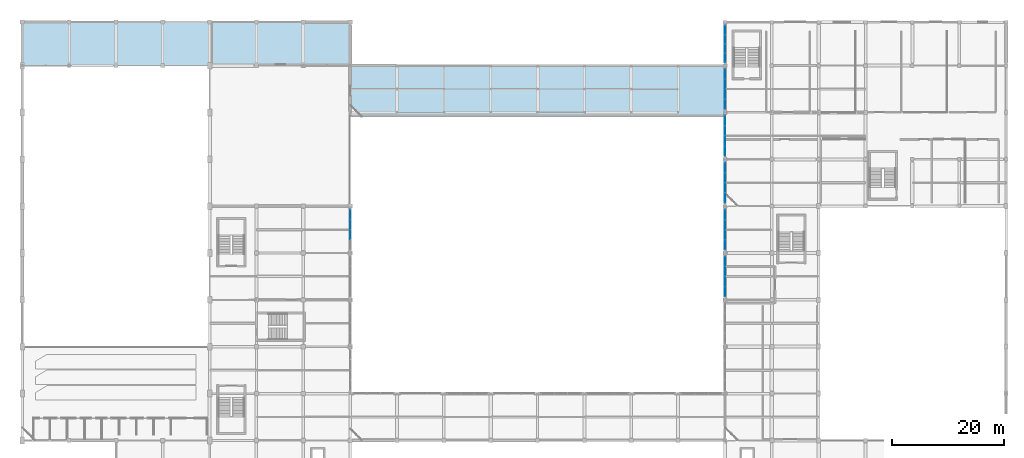
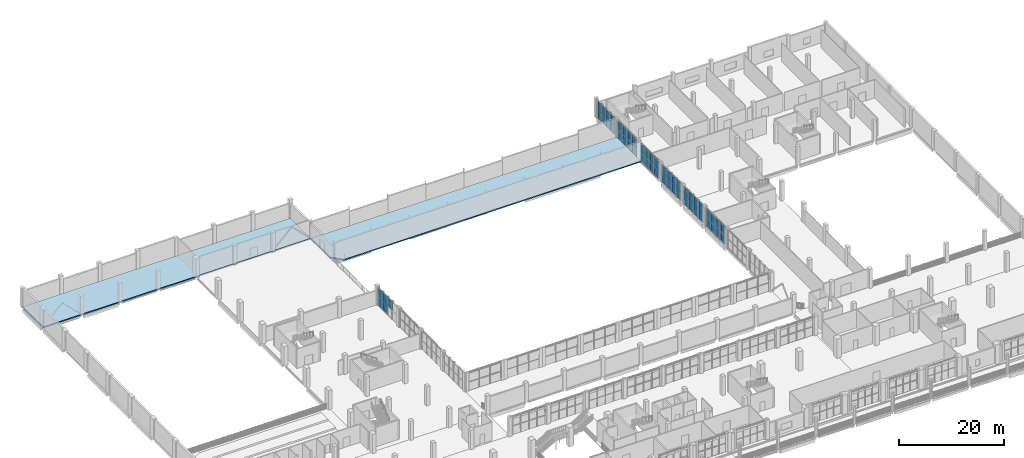
# One storey, part 50 of 75: 53 plates, 2 slabs, 7 elements without a shape of their own.
"""IFC4 building model written with IfcOpenShell, lengths in metres."""

from ifc_helpers import new_model, si_unit, derived_unit, direction, frame, origin, origin_2d, place, context, subcontext, project, spatial, polyline, rectangle, outline, extrude, material, layer, layer_set, type_object, element, aggregate, save


model = new_model("IFC4")

# Units and contexts
model_context = context("Model", 3, precision=1e-05, world=origin(), true_north=direction((0.0, 1.0)))
body_context = subcontext(model_context, "Body", "Model", "MODEL_VIEW")
ifc_project = project(units=[si_unit("LENGTHUNIT", "METRE"), si_unit("AREAUNIT", "SQUARE_METRE"), si_unit("VOLUMEUNIT", "CUBIC_METRE"), si_unit("PLANEANGLEUNIT", "RADIAN"), si_unit("MASSUNIT", "GRAM", prefix="KILO"), derived_unit("THERMALTRANSMITTANCEUNIT", [(si_unit("POWERUNIT", "WATT"), 1), (si_unit("LENGTHUNIT", "METRE"), -2), (si_unit("THERMODYNAMICTEMPERATUREUNIT", "KELVIN"), -1)])], contexts=[model_context])

# Site, building, storey
site_placement = place(None, origin())
site = spatial("IfcSite", under=ifc_project, at=site_placement, CompositionType="ELEMENT")
building_placement = place(site_placement, origin())
building = spatial("IfcBuilding", under=site, at=building_placement, Name="Barrovel Congress Hotel", CompositionType="ELEMENT")
storey_placement = place(building_placement, frame((0.0, 0.0, 5.39990234375)))
storey = spatial("IfcBuildingStorey", under=building, at=storey_placement, Name="L01", CompositionType="ELEMENT", Elevation=5.39990234375)

# Curtain wall, plates
ifc_material_1 = material(Name="Anodised Aluminium Alloy 6063-T6", Category="aluminium")
curtain_wall_type = type_object("IfcCurtainWallType", Name="CW-ST-7200x3600", PredefinedType="USERDEFINED", material=ifc_material_1)
curtain_wall_1_placement = place(storey_placement, origin())
curtain_wall_1 = element("IfcCurtainWall", 1, at=curtain_wall_1_placement, inside=storey, type_object=curtain_wall_type, Name="CW:L01:CW:71.4", ObjectType="STICK CURTAIN WALL", PredefinedType="USERDEFINED")
ifc_material_2 = material(Name="Double Low-E Insulated Glazing", Category="glass")
ifc_layer_1 = layer(ifc_material_2, 0.028076171875)
ifc_layer_set_1 = layer_set([ifc_layer_1], Name="Double Low-E Insulated Glazing")
plate_type_1 = type_object("IfcPlateType", Name="CWP-28", PredefinedType="CURTAIN_PANEL", material=ifc_layer_set_1)
plate_1_placement = place(storey_placement, frame((58.800048828125, 74.699951171875, 2.14013671875), z_axis=(0.0, 0.0, 1.0), x_axis=(0.0, 1.0, 0.0)))
plate_1 = element("IfcPlate", 2, at=plate_1_placement, type_object=plate_type_1, Name="CW:L01:CW:71.4:P1-1", PredefinedType="CURTAIN_PANEL", context=body_context, shape_type="SweptSolid", body=[
    extrude(rectangle(XDim=1.739990234375, YDim=0.028076171875, at=origin_2d()), origin(), (0.0, 0.0, 1.0), 2.050048828125),
])
plate_2_placement = place(storey_placement, frame((58.800048828125, 76.5, 0.0302734375), z_axis=(0.0, 0.0, 1.0), x_axis=(0.0, 1.0, 0.0)))
plate_2 = element("IfcPlate", 3, at=plate_2_placement, type_object=plate_type_1, Name="CW:L01:CW:71.4:P2-0", PredefinedType="CURTAIN_PANEL", context=body_context, shape_type="SweptSolid", body=[
    extrude(rectangle(XDim=1.739990234375, YDim=0.028076171875, at=origin_2d()), origin(), (0.0, 0.0, 1.0), 2.050048828125),
])
plate_3_placement = place(storey_placement, frame((58.800048828125, 76.5, 2.14013671875), z_axis=(0.0, 0.0, 1.0), x_axis=(0.0, 1.0, 0.0)))
plate_3 = element("IfcPlate", 4, at=plate_3_placement, type_object=plate_type_1, Name="CW:L01:CW:71.4:P2-1", PredefinedType="CURTAIN_PANEL", context=body_context, shape_type="SweptSolid", body=[
    extrude(rectangle(XDim=1.739990234375, YDim=0.028076171875, at=origin_2d()), origin(), (0.0, 0.0, 1.0), 2.050048828125),
])
plate_4_placement = place(storey_placement, frame((58.800048828125, 78.300048828125, 0.0302734375), z_axis=(0.0, 0.0, 1.0), x_axis=(0.0, 1.0, 0.0)))
plate_4 = element("IfcPlate", 5, at=plate_4_placement, type_object=plate_type_1, Name="CW:L01:CW:71.4:P3-0", PredefinedType="CURTAIN_PANEL", context=body_context, shape_type="SweptSolid", body=[
    extrude(rectangle(XDim=1.739990234375, YDim=0.028076171875, at=origin_2d()), origin(), (0.0, 0.0, 1.0), 2.050048828125),
])
plate_5_placement = place(storey_placement, frame((58.800048828125, 78.300048828125, 2.14013671875), z_axis=(0.0, 0.0, 1.0), x_axis=(0.0, 1.0, 0.0)))
plate_5 = element("IfcPlate", 6, at=plate_5_placement, type_object=plate_type_1, Name="CW:L01:CW:71.4:P3-1", PredefinedType="CURTAIN_PANEL", context=body_context, shape_type="SweptSolid", body=[
    extrude(rectangle(XDim=1.739990234375, YDim=0.028076171875, at=origin_2d()), origin(), (0.0, 0.0, 1.0), 2.050048828125),
])
aggregate(curtain_wall_1, [plate_1, plate_2, plate_3, plate_4, plate_5])

curtain_wall_2_placement = place(storey_placement, origin())
curtain_wall_2 = element("IfcCurtainWall", 7, at=curtain_wall_2_placement, inside=storey, type_object=curtain_wall_type, Name="CW:L01:CE:71.4", ObjectType="STICK CURTAIN WALL", PredefinedType="USERDEFINED")
plate_6_placement = place(storey_placement, frame((126.0, 78.300048828125, 0.0302734375), z_axis=(0.0, 0.0, 1.0), x_axis=(0.0, -1.0, 0.0)))
plate_6 = element("IfcPlate", 8, at=plate_6_placement, type_object=plate_type_1, Name="CW:L01:CE:71.4:P0-0", PredefinedType="CURTAIN_PANEL", context=body_context, shape_type="SweptSolid", body=[
    extrude(rectangle(XDim=1.739990234375, YDim=0.028076171875, at=origin_2d()), origin(), (0.0, 0.0, 1.0), 2.050048828125),
])
plate_7_placement = place(storey_placement, frame((126.0, 78.300048828125, 2.14013671875), z_axis=(0.0, 0.0, 1.0), x_axis=(0.0, -1.0, 0.0)))
plate_7 = element("IfcPlate", 9, at=plate_7_placement, type_object=plate_type_1, Name="CW:L01:CE:71.4:P0-1", PredefinedType="CURTAIN_PANEL", context=body_context, shape_type="SweptSolid", body=[
    extrude(rectangle(XDim=1.739990234375, YDim=0.028076171875, at=origin_2d()), origin(), (0.0, 0.0, 1.0), 2.050048828125),
])
plate_8_placement = place(storey_placement, frame((126.0, 76.5, 0.0302734375), z_axis=(0.0, 0.0, 1.0), x_axis=(0.0, -1.0, 0.0)))
plate_8 = element("IfcPlate", 10, at=plate_8_placement, type_object=plate_type_1, Name="CW:L01:CE:71.4:P1-0", PredefinedType="CURTAIN_PANEL", context=body_context, shape_type="SweptSolid", body=[
    extrude(rectangle(XDim=1.739990234375, YDim=0.028076171875, at=origin_2d()), origin(), (0.0, 0.0, 1.0), 2.050048828125),
])
plate_9_placement = place(storey_placement, frame((126.0, 76.5, 2.14013671875), z_axis=(0.0, 0.0, 1.0), x_axis=(0.0, -1.0, 0.0)))
plate_9 = element("IfcPlate", 11, at=plate_9_placement, type_object=plate_type_1, Name="CW:L01:CE:71.4:P1-1", PredefinedType="CURTAIN_PANEL", context=body_context, shape_type="SweptSolid", body=[
    extrude(rectangle(XDim=1.739990234375, YDim=0.028076171875, at=origin_2d()), origin(), (0.0, 0.0, 1.0), 2.050048828125),
])
plate_10_placement = place(storey_placement, frame((126.0, 74.699951171875, 0.0302734375), z_axis=(0.0, 0.0, 1.0), x_axis=(0.0, -1.0, 0.0)))
plate_10 = element("IfcPlate", 12, at=plate_10_placement, type_object=plate_type_1, Name="CW:L01:CE:71.4:P2-0", PredefinedType="CURTAIN_PANEL", context=body_context, shape_type="SweptSolid", body=[
    extrude(rectangle(XDim=1.739990234375, YDim=0.028076171875, at=origin_2d()), origin(), (0.0, 0.0, 1.0), 2.050048828125),
])
plate_11_placement = place(storey_placement, frame((126.0, 74.699951171875, 2.14013671875), z_axis=(0.0, 0.0, 1.0), x_axis=(0.0, -1.0, 0.0)))
plate_11 = element("IfcPlate", 13, at=plate_11_placement, type_object=plate_type_1, Name="CW:L01:CE:71.4:P2-1", PredefinedType="CURTAIN_PANEL", context=body_context, shape_type="SweptSolid", body=[
    extrude(rectangle(XDim=1.739990234375, YDim=0.028076171875, at=origin_2d()), origin(), (0.0, 0.0, 1.0), 2.050048828125),
])
plate_12_placement = place(storey_placement, frame((126.0, 72.89990234375, 0.0302734375), z_axis=(0.0, 0.0, 1.0), x_axis=(0.0, -1.0, 0.0)))
plate_12 = element("IfcPlate", 14, at=plate_12_placement, type_object=plate_type_1, Name="CW:L01:CE:71.4:P3-0", PredefinedType="CURTAIN_PANEL", context=body_context, shape_type="SweptSolid", body=[
    extrude(rectangle(XDim=1.739990234375, YDim=0.028076171875, at=origin_2d()), origin(), (0.0, 0.0, 1.0), 2.050048828125),
])
plate_13_placement = place(storey_placement, frame((126.0, 72.89990234375, 2.14013671875), z_axis=(0.0, 0.0, 1.0), x_axis=(0.0, -1.0, 0.0)))
plate_13 = element("IfcPlate", 15, at=plate_13_placement, type_object=plate_type_1, Name="CW:L01:CE:71.4:P3-1", PredefinedType="CURTAIN_PANEL", context=body_context, shape_type="SweptSolid", body=[
    extrude(rectangle(XDim=1.739990234375, YDim=0.028076171875, at=origin_2d()), origin(), (0.0, 0.0, 1.0), 2.050048828125),
])
aggregate(curtain_wall_2, [plate_6, plate_7, plate_8, plate_9, plate_10, plate_11, plate_12, plate_13])

curtain_wall_3_placement = place(storey_placement, origin())
curtain_wall_3 = element("IfcCurtainWall", 16, at=curtain_wall_3_placement, inside=storey, type_object=curtain_wall_type, Name="CW:L01:CE:88.2", ObjectType="STICK CURTAIN WALL", PredefinedType="USERDEFINED")
plate_14_placement = place(storey_placement, frame((126.0, 95.10009765625, 0.0302734375), z_axis=(0.0, 0.0, 1.0), x_axis=(0.0, -1.0, 0.0)))
plate_14 = element("IfcPlate", 17, at=plate_14_placement, type_object=plate_type_1, Name="CW:L01:CE:88.2:P0-0", PredefinedType="CURTAIN_PANEL", context=body_context, shape_type="SweptSolid", body=[
    extrude(rectangle(XDim=1.739990234375, YDim=0.028076171875, at=origin_2d()), origin(), (0.0, 0.0, 1.0), 2.050048828125),
])
plate_15_placement = place(storey_placement, frame((126.0, 95.10009765625, 2.14013671875), z_axis=(0.0, 0.0, 1.0), x_axis=(0.0, -1.0, 0.0)))
plate_15 = element("IfcPlate", 18, at=plate_15_placement, type_object=plate_type_1, Name="CW:L01:CE:88.2:P0-1", PredefinedType="CURTAIN_PANEL", context=body_context, shape_type="SweptSolid", body=[
    extrude(rectangle(XDim=1.739990234375, YDim=0.028076171875, at=origin_2d()), origin(), (0.0, 0.0, 1.0), 2.050048828125),
])
plate_16_placement = place(storey_placement, frame((126.0, 93.300048828125, 0.0302734375), z_axis=(0.0, 0.0, 1.0), x_axis=(0.0, -1.0, 0.0)))
plate_16 = element("IfcPlate", 19, at=plate_16_placement, type_object=plate_type_1, Name="CW:L01:CE:88.2:P1-0", PredefinedType="CURTAIN_PANEL", context=body_context, shape_type="SweptSolid", body=[
    extrude(rectangle(XDim=1.739990234375, YDim=0.028076171875, at=origin_2d()), origin(), (0.0, 0.0, 1.0), 2.050048828125),
])
plate_17_placement = place(storey_placement, frame((126.0, 93.300048828125, 2.14013671875), z_axis=(0.0, 0.0, 1.0), x_axis=(0.0, -1.0, 0.0)))
plate_17 = element("IfcPlate", 20, at=plate_17_placement, type_object=plate_type_1, Name="CW:L01:CE:88.2:P1-1", PredefinedType="CURTAIN_PANEL", context=body_context, shape_type="SweptSolid", body=[
    extrude(rectangle(XDim=1.739990234375, YDim=0.028076171875, at=origin_2d()), origin(), (0.0, 0.0, 1.0), 2.050048828125),
])
plate_18_placement = place(storey_placement, frame((126.0, 91.5, 0.0302734375), z_axis=(0.0, 0.0, 1.0), x_axis=(0.0, -1.0, 0.0)))
plate_18 = element("IfcPlate", 21, at=plate_18_placement, type_object=plate_type_1, Name="CW:L01:CE:88.2:P2-0", PredefinedType="CURTAIN_PANEL", context=body_context, shape_type="SweptSolid", body=[
    extrude(rectangle(XDim=1.739990234375, YDim=0.028076171875, at=origin_2d()), origin(), (0.0, 0.0, 1.0), 2.050048828125),
])
plate_19_placement = place(storey_placement, frame((126.0, 91.5, 2.14013671875), z_axis=(0.0, 0.0, 1.0), x_axis=(0.0, -1.0, 0.0)))
plate_19 = element("IfcPlate", 22, at=plate_19_placement, type_object=plate_type_1, Name="CW:L01:CE:88.2:P2-1", PredefinedType="CURTAIN_PANEL", context=body_context, shape_type="SweptSolid", body=[
    extrude(rectangle(XDim=1.739990234375, YDim=0.028076171875, at=origin_2d()), origin(), (0.0, 0.0, 1.0), 2.050048828125),
])
plate_20_placement = place(storey_placement, frame((126.0, 89.699951171875, 0.0302734375), z_axis=(0.0, 0.0, 1.0), x_axis=(0.0, -1.0, 0.0)))
plate_20 = element("IfcPlate", 23, at=plate_20_placement, type_object=plate_type_1, Name="CW:L01:CE:88.2:P3-0", PredefinedType="CURTAIN_PANEL", context=body_context, shape_type="SweptSolid", body=[
    extrude(rectangle(XDim=1.739990234375, YDim=0.028076171875, at=origin_2d()), origin(), (0.0, 0.0, 1.0), 2.050048828125),
])
plate_21_placement = place(storey_placement, frame((126.0, 89.699951171875, 2.14013671875), z_axis=(0.0, 0.0, 1.0), x_axis=(0.0, -1.0, 0.0)))
plate_21 = element("IfcPlate", 24, at=plate_21_placement, type_object=plate_type_1, Name="CW:L01:CE:88.2:P3-1", PredefinedType="CURTAIN_PANEL", context=body_context, shape_type="SweptSolid", body=[
    extrude(rectangle(XDim=1.739990234375, YDim=0.028076171875, at=origin_2d()), origin(), (0.0, 0.0, 1.0), 2.050048828125),
])
aggregate(curtain_wall_3, [plate_14, plate_15, plate_16, plate_17, plate_18, plate_19, plate_20, plate_21])

curtain_wall_4_placement = place(storey_placement, origin())
curtain_wall_4 = element("IfcCurtainWall", 25, at=curtain_wall_4_placement, inside=storey, type_object=curtain_wall_type, Name="CW:L01:CE:105.0", ObjectType="STICK CURTAIN WALL", PredefinedType="USERDEFINED")
plate_22_placement = place(storey_placement, frame((126.0, 111.375, 0.0302734375), z_axis=(0.0, 0.0, 1.0), x_axis=(0.0, -1.0, 0.0)))
plate_22 = element("IfcPlate", 26, at=plate_22_placement, type_object=plate_type_1, Name="CW:L01:CE:105.0:P0-0", PredefinedType="CURTAIN_PANEL", context=body_context, shape_type="SweptSolid", body=[
    extrude(rectangle(XDim=1.590087890625, YDim=0.028076171875, at=origin_2d()), origin(), (0.0, 0.0, 1.0), 2.050048828125),
])
plate_23_placement = place(storey_placement, frame((126.0, 111.375, 2.14013671875), z_axis=(0.0, 0.0, 1.0), x_axis=(0.0, -1.0, 0.0)))
plate_23 = element("IfcPlate", 27, at=plate_23_placement, type_object=plate_type_1, Name="CW:L01:CE:105.0:P0-1", PredefinedType="CURTAIN_PANEL", context=body_context, shape_type="SweptSolid", body=[
    extrude(rectangle(XDim=1.590087890625, YDim=0.028076171875, at=origin_2d()), origin(), (0.0, 0.0, 1.0), 2.050048828125),
])
plate_24_placement = place(storey_placement, frame((126.0, 109.72509765625, 0.0302734375), z_axis=(0.0, 0.0, 1.0), x_axis=(0.0, -1.0, 0.0)))
plate_24 = element("IfcPlate", 28, at=plate_24_placement, type_object=plate_type_1, Name="CW:L01:CE:105.0:P1-0", PredefinedType="CURTAIN_PANEL", context=body_context, shape_type="SweptSolid", body=[
    extrude(rectangle(XDim=1.590087890625, YDim=0.028076171875, at=origin_2d()), origin(), (0.0, 0.0, 1.0), 2.050048828125),
])
plate_25_placement = place(storey_placement, frame((126.0, 109.72509765625, 2.14013671875), z_axis=(0.0, 0.0, 1.0), x_axis=(0.0, -1.0, 0.0)))
plate_25 = element("IfcPlate", 29, at=plate_25_placement, type_object=plate_type_1, Name="CW:L01:CE:105.0:P1-1", PredefinedType="CURTAIN_PANEL", context=body_context, shape_type="SweptSolid", body=[
    extrude(rectangle(XDim=1.590087890625, YDim=0.028076171875, at=origin_2d()), origin(), (0.0, 0.0, 1.0), 2.050048828125),
])
plate_26_placement = place(storey_placement, frame((126.0, 108.074951171875, 0.0302734375), z_axis=(0.0, 0.0, 1.0), x_axis=(0.0, -1.0, 0.0)))
plate_26 = element("IfcPlate", 30, at=plate_26_placement, type_object=plate_type_1, Name="CW:L01:CE:105.0:P2-0", PredefinedType="CURTAIN_PANEL", context=body_context, shape_type="SweptSolid", body=[
    extrude(rectangle(XDim=1.590087890625, YDim=0.028076171875, at=origin_2d()), origin(), (0.0, 0.0, 1.0), 2.050048828125),
])
plate_27_placement = place(storey_placement, frame((126.0, 108.074951171875, 2.14013671875), z_axis=(0.0, 0.0, 1.0), x_axis=(0.0, -1.0, 0.0)))
plate_27 = element("IfcPlate", 31, at=plate_27_placement, type_object=plate_type_1, Name="CW:L01:CE:105.0:P2-1", PredefinedType="CURTAIN_PANEL", context=body_context, shape_type="SweptSolid", body=[
    extrude(rectangle(XDim=1.590087890625, YDim=0.028076171875, at=origin_2d()), origin(), (0.0, 0.0, 1.0), 2.050048828125),
])
plate_28_placement = place(storey_placement, frame((126.0, 106.425048828125, 0.0302734375), z_axis=(0.0, 0.0, 1.0), x_axis=(0.0, -1.0, 0.0)))
plate_28 = element("IfcPlate", 32, at=plate_28_placement, type_object=plate_type_1, Name="CW:L01:CE:105.0:P3-0", PredefinedType="CURTAIN_PANEL", context=body_context, shape_type="SweptSolid", body=[
    extrude(rectangle(XDim=1.590087890625, YDim=0.028076171875, at=origin_2d()), origin(), (0.0, 0.0, 1.0), 2.050048828125),
])
plate_29_placement = place(storey_placement, frame((126.0, 106.425048828125, 2.14013671875), z_axis=(0.0, 0.0, 1.0), x_axis=(0.0, -1.0, 0.0)))
plate_29 = element("IfcPlate", 33, at=plate_29_placement, type_object=plate_type_1, Name="CW:L01:CE:105.0:P3-1", PredefinedType="CURTAIN_PANEL", context=body_context, shape_type="SweptSolid", body=[
    extrude(rectangle(XDim=1.590087890625, YDim=0.028076171875, at=origin_2d()), origin(), (0.0, 0.0, 1.0), 2.050048828125),
])
aggregate(curtain_wall_4, [plate_22, plate_23, plate_24, plate_25, plate_26, plate_27, plate_28, plate_29])

curtain_wall_5_placement = place(storey_placement, origin())
curtain_wall_5 = element("IfcCurtainWall", 34, at=curtain_wall_5_placement, inside=storey, type_object=curtain_wall_type, Name="CW:L01:CE:63.0", ObjectType="STICK CURTAIN WALL", PredefinedType="USERDEFINED")
ifc_layer_2 = layer(ifc_material_2, 0.031982421875)
ifc_layer_set_2 = layer_set([ifc_layer_2], Name="Double Low-E Insulated Glazing")
plate_type_2 = type_object("IfcPlateType", Name="CWP-32", PredefinedType="CURTAIN_PANEL", material=ifc_layer_set_2)
plate_30_placement = place(storey_placement, frame((126.0, 69.89990234375, 0.0302734375), z_axis=(0.0, 0.0, 1.0), x_axis=(0.0, -1.0, 0.0)))
plate_30 = element("IfcPlate", 35, at=plate_30_placement, type_object=plate_type_2, Name="CW:L01:CE:63.0:P0-0", PredefinedType="CURTAIN_PANEL", context=body_context, shape_type="SweptSolid", body=[
    extrude(rectangle(XDim=1.739990234375, YDim=0.031982421875, at=origin_2d()), origin(), (0.0, 0.0, 1.0), 2.050048828125),
])
plate_31_placement = place(storey_placement, frame((126.0, 69.89990234375, 2.14013671875), z_axis=(0.0, 0.0, 1.0), x_axis=(0.0, -1.0, 0.0)))
plate_31 = element("IfcPlate", 36, at=plate_31_placement, type_object=plate_type_2, Name="CW:L01:CE:63.0:P0-1", PredefinedType="CURTAIN_PANEL", context=body_context, shape_type="SweptSolid", body=[
    extrude(rectangle(XDim=1.739990234375, YDim=0.031982421875, at=origin_2d()), origin(), (0.0, 0.0, 1.0), 2.050048828125),
])
plate_32_placement = place(storey_placement, frame((126.0, 68.10009765625, 0.0302734375), z_axis=(0.0, 0.0, 1.0), x_axis=(0.0, -1.0, 0.0)))
plate_32 = element("IfcPlate", 37, at=plate_32_placement, type_object=plate_type_2, Name="CW:L01:CE:63.0:P1-0", PredefinedType="CURTAIN_PANEL", context=body_context, shape_type="SweptSolid", body=[
    extrude(rectangle(XDim=1.739990234375, YDim=0.031982421875, at=origin_2d()), origin(), (0.0, 0.0, 1.0), 2.050048828125),
])
plate_33_placement = place(storey_placement, frame((126.0, 68.10009765625, 2.14013671875), z_axis=(0.0, 0.0, 1.0), x_axis=(0.0, -1.0, 0.0)))
plate_33 = element("IfcPlate", 38, at=plate_33_placement, type_object=plate_type_2, Name="CW:L01:CE:63.0:P1-1", PredefinedType="CURTAIN_PANEL", context=body_context, shape_type="SweptSolid", body=[
    extrude(rectangle(XDim=1.739990234375, YDim=0.031982421875, at=origin_2d()), origin(), (0.0, 0.0, 1.0), 2.050048828125),
])
plate_34_placement = place(storey_placement, frame((126.0, 66.300048828125, 0.0302734375), z_axis=(0.0, 0.0, 1.0), x_axis=(0.0, -1.0, 0.0)))
plate_34 = element("IfcPlate", 39, at=plate_34_placement, type_object=plate_type_2, Name="CW:L01:CE:63.0:P2-0", PredefinedType="CURTAIN_PANEL", context=body_context, shape_type="SweptSolid", body=[
    extrude(rectangle(XDim=1.739990234375, YDim=0.031982421875, at=origin_2d()), origin(), (0.0, 0.0, 1.0), 2.050048828125),
])
plate_35_placement = place(storey_placement, frame((126.0, 66.300048828125, 2.14013671875), z_axis=(0.0, 0.0, 1.0), x_axis=(0.0, -1.0, 0.0)))
plate_35 = element("IfcPlate", 40, at=plate_35_placement, type_object=plate_type_2, Name="CW:L01:CE:63.0:P2-1", PredefinedType="CURTAIN_PANEL", context=body_context, shape_type="SweptSolid", body=[
    extrude(rectangle(XDim=1.739990234375, YDim=0.031982421875, at=origin_2d()), origin(), (0.0, 0.0, 1.0), 2.050048828125),
])
plate_36_placement = place(storey_placement, frame((126.0, 64.5, 0.0302734375), z_axis=(0.0, 0.0, 1.0), x_axis=(0.0, -1.0, 0.0)))
plate_36 = element("IfcPlate", 41, at=plate_36_placement, type_object=plate_type_2, Name="CW:L01:CE:63.0:P3-0", PredefinedType="CURTAIN_PANEL", context=body_context, shape_type="SweptSolid", body=[
    extrude(rectangle(XDim=1.739990234375, YDim=0.031982421875, at=origin_2d()), origin(), (0.0, 0.0, 1.0), 2.050048828125),
])
plate_37_placement = place(storey_placement, frame((126.0, 64.5, 2.14013671875), z_axis=(0.0, 0.0, 1.0), x_axis=(0.0, -1.0, 0.0)))
plate_37 = element("IfcPlate", 42, at=plate_37_placement, type_object=plate_type_2, Name="CW:L01:CE:63.0:P3-1", PredefinedType="CURTAIN_PANEL", context=body_context, shape_type="SweptSolid", body=[
    extrude(rectangle(XDim=1.739990234375, YDim=0.031982421875, at=origin_2d()), origin(), (0.0, 0.0, 1.0), 2.050048828125),
])
aggregate(curtain_wall_5, [plate_30, plate_31, plate_32, plate_33, plate_34, plate_35, plate_36, plate_37])

curtain_wall_6_placement = place(storey_placement, origin())
curtain_wall_6 = element("IfcCurtainWall", 43, at=curtain_wall_6_placement, inside=storey, type_object=curtain_wall_type, Name="CW:L01:CE:79.8", ObjectType="STICK CURTAIN WALL", PredefinedType="USERDEFINED")
plate_38_placement = place(storey_placement, frame((126.0, 86.699951171875, 0.0302734375), z_axis=(0.0, 0.0, 1.0), x_axis=(0.0, -1.0, 0.0)))
plate_38 = element("IfcPlate", 44, at=plate_38_placement, type_object=plate_type_2, Name="CW:L01:CE:79.8:P0-0", PredefinedType="CURTAIN_PANEL", context=body_context, shape_type="SweptSolid", body=[
    extrude(rectangle(XDim=1.739990234375, YDim=0.031982421875, at=origin_2d()), origin(), (0.0, 0.0, 1.0), 2.050048828125),
])
plate_39_placement = place(storey_placement, frame((126.0, 86.699951171875, 2.14013671875), z_axis=(0.0, 0.0, 1.0), x_axis=(0.0, -1.0, 0.0)))
plate_39 = element("IfcPlate", 45, at=plate_39_placement, type_object=plate_type_2, Name="CW:L01:CE:79.8:P0-1", PredefinedType="CURTAIN_PANEL", context=body_context, shape_type="SweptSolid", body=[
    extrude(rectangle(XDim=1.739990234375, YDim=0.031982421875, at=origin_2d()), origin(), (0.0, 0.0, 1.0), 2.050048828125),
])
plate_40_placement = place(storey_placement, frame((126.0, 84.89990234375, 0.0302734375), z_axis=(0.0, 0.0, 1.0), x_axis=(0.0, -1.0, 0.0)))
plate_40 = element("IfcPlate", 46, at=plate_40_placement, type_object=plate_type_2, Name="CW:L01:CE:79.8:P1-0", PredefinedType="CURTAIN_PANEL", context=body_context, shape_type="SweptSolid", body=[
    extrude(rectangle(XDim=1.739990234375, YDim=0.031982421875, at=origin_2d()), origin(), (0.0, 0.0, 1.0), 2.050048828125),
])
plate_41_placement = place(storey_placement, frame((126.0, 84.89990234375, 2.14013671875), z_axis=(0.0, 0.0, 1.0), x_axis=(0.0, -1.0, 0.0)))
plate_41 = element("IfcPlate", 47, at=plate_41_placement, type_object=plate_type_2, Name="CW:L01:CE:79.8:P1-1", PredefinedType="CURTAIN_PANEL", context=body_context, shape_type="SweptSolid", body=[
    extrude(rectangle(XDim=1.739990234375, YDim=0.031982421875, at=origin_2d()), origin(), (0.0, 0.0, 1.0), 2.050048828125),
])
plate_42_placement = place(storey_placement, frame((126.0, 83.10009765625, 0.0302734375), z_axis=(0.0, 0.0, 1.0), x_axis=(0.0, -1.0, 0.0)))
plate_42 = element("IfcPlate", 48, at=plate_42_placement, type_object=plate_type_2, Name="CW:L01:CE:79.8:P2-0", PredefinedType="CURTAIN_PANEL", context=body_context, shape_type="SweptSolid", body=[
    extrude(rectangle(XDim=1.739990234375, YDim=0.031982421875, at=origin_2d()), origin(), (0.0, 0.0, 1.0), 2.050048828125),
])
plate_43_placement = place(storey_placement, frame((126.0, 83.10009765625, 2.14013671875), z_axis=(0.0, 0.0, 1.0), x_axis=(0.0, -1.0, 0.0)))
plate_43 = element("IfcPlate", 49, at=plate_43_placement, type_object=plate_type_2, Name="CW:L01:CE:79.8:P2-1", PredefinedType="CURTAIN_PANEL", context=body_context, shape_type="SweptSolid", body=[
    extrude(rectangle(XDim=1.739990234375, YDim=0.031982421875, at=origin_2d()), origin(), (0.0, 0.0, 1.0), 2.050048828125),
])
plate_44_placement = place(storey_placement, frame((126.0, 81.300048828125, 0.0302734375), z_axis=(0.0, 0.0, 1.0), x_axis=(0.0, -1.0, 0.0)))
plate_44 = element("IfcPlate", 50, at=plate_44_placement, type_object=plate_type_2, Name="CW:L01:CE:79.8:P3-0", PredefinedType="CURTAIN_PANEL", context=body_context, shape_type="SweptSolid", body=[
    extrude(rectangle(XDim=1.739990234375, YDim=0.031982421875, at=origin_2d()), origin(), (0.0, 0.0, 1.0), 2.050048828125),
])
plate_45_placement = place(storey_placement, frame((126.0, 81.300048828125, 2.14013671875), z_axis=(0.0, 0.0, 1.0), x_axis=(0.0, -1.0, 0.0)))
plate_45 = element("IfcPlate", 51, at=plate_45_placement, type_object=plate_type_2, Name="CW:L01:CE:79.8:P3-1", PredefinedType="CURTAIN_PANEL", context=body_context, shape_type="SweptSolid", body=[
    extrude(rectangle(XDim=1.739990234375, YDim=0.031982421875, at=origin_2d()), origin(), (0.0, 0.0, 1.0), 2.050048828125),
])
aggregate(curtain_wall_6, [plate_38, plate_39, plate_40, plate_41, plate_42, plate_43, plate_44, plate_45])

curtain_wall_7_placement = place(storey_placement, origin())
curtain_wall_7 = element("IfcCurtainWall", 52, at=curtain_wall_7_placement, inside=storey, type_object=curtain_wall_type, Name="CW:L01:CE:96.6", ObjectType="STICK CURTAIN WALL", PredefinedType="USERDEFINED")
plate_46_placement = place(storey_placement, frame((126.0, 103.5, 0.0302734375), z_axis=(0.0, 0.0, 1.0), x_axis=(0.0, -1.0, 0.0)))
plate_46 = element("IfcPlate", 53, at=plate_46_placement, type_object=plate_type_2, Name="CW:L01:CE:96.6:P0-0", PredefinedType="CURTAIN_PANEL", context=body_context, shape_type="SweptSolid", body=[
    extrude(rectangle(XDim=1.739990234375, YDim=0.031982421875, at=origin_2d()), origin(), (0.0, 0.0, 1.0), 2.050048828125),
])
plate_47_placement = place(storey_placement, frame((126.0, 103.5, 2.14013671875), z_axis=(0.0, 0.0, 1.0), x_axis=(0.0, -1.0, 0.0)))
plate_47 = element("IfcPlate", 54, at=plate_47_placement, type_object=plate_type_2, Name="CW:L01:CE:96.6:P0-1", PredefinedType="CURTAIN_PANEL", context=body_context, shape_type="SweptSolid", body=[
    extrude(rectangle(XDim=1.739990234375, YDim=0.031982421875, at=origin_2d()), origin(), (0.0, 0.0, 1.0), 2.050048828125),
])
plate_48_placement = place(storey_placement, frame((126.0, 101.699951171875, 0.0302734375), z_axis=(0.0, 0.0, 1.0), x_axis=(0.0, -1.0, 0.0)))
plate_48 = element("IfcPlate", 55, at=plate_48_placement, type_object=plate_type_2, Name="CW:L01:CE:96.6:P1-0", PredefinedType="CURTAIN_PANEL", context=body_context, shape_type="SweptSolid", body=[
    extrude(rectangle(XDim=1.739990234375, YDim=0.031982421875, at=origin_2d()), origin(), (0.0, 0.0, 1.0), 2.050048828125),
])
plate_49_placement = place(storey_placement, frame((126.0, 101.699951171875, 2.14013671875), z_axis=(0.0, 0.0, 1.0), x_axis=(0.0, -1.0, 0.0)))
plate_49 = element("IfcPlate", 56, at=plate_49_placement, type_object=plate_type_2, Name="CW:L01:CE:96.6:P1-1", PredefinedType="CURTAIN_PANEL", context=body_context, shape_type="SweptSolid", body=[
    extrude(rectangle(XDim=1.739990234375, YDim=0.031982421875, at=origin_2d()), origin(), (0.0, 0.0, 1.0), 2.050048828125),
])
plate_50_placement = place(storey_placement, frame((126.0, 99.89990234375, 0.0302734375), z_axis=(0.0, 0.0, 1.0), x_axis=(0.0, -1.0, 0.0)))
plate_50 = element("IfcPlate", 57, at=plate_50_placement, type_object=plate_type_2, Name="CW:L01:CE:96.6:P2-0", PredefinedType="CURTAIN_PANEL", context=body_context, shape_type="SweptSolid", body=[
    extrude(rectangle(XDim=1.739990234375, YDim=0.031982421875, at=origin_2d()), origin(), (0.0, 0.0, 1.0), 2.050048828125),
])
plate_51_placement = place(storey_placement, frame((126.0, 99.89990234375, 2.14013671875), z_axis=(0.0, 0.0, 1.0), x_axis=(0.0, -1.0, 0.0)))
plate_51 = element("IfcPlate", 58, at=plate_51_placement, type_object=plate_type_2, Name="CW:L01:CE:96.6:P2-1", PredefinedType="CURTAIN_PANEL", context=body_context, shape_type="SweptSolid", body=[
    extrude(rectangle(XDim=1.739990234375, YDim=0.031982421875, at=origin_2d()), origin(), (0.0, 0.0, 1.0), 2.050048828125),
])
plate_52_placement = place(storey_placement, frame((126.0, 98.10009765625, 0.0302734375), z_axis=(0.0, 0.0, 1.0), x_axis=(0.0, -1.0, 0.0)))
plate_52 = element("IfcPlate", 59, at=plate_52_placement, type_object=plate_type_2, Name="CW:L01:CE:96.6:P3-0", PredefinedType="CURTAIN_PANEL", context=body_context, shape_type="SweptSolid", body=[
    extrude(rectangle(XDim=1.739990234375, YDim=0.031982421875, at=origin_2d()), origin(), (0.0, 0.0, 1.0), 2.050048828125),
])
plate_53_placement = place(storey_placement, frame((126.0, 98.10009765625, 2.14013671875), z_axis=(0.0, 0.0, 1.0), x_axis=(0.0, -1.0, 0.0)))
plate_53 = element("IfcPlate", 60, at=plate_53_placement, type_object=plate_type_2, Name="CW:L01:CE:96.6:P3-1", PredefinedType="CURTAIN_PANEL", context=body_context, shape_type="SweptSolid", body=[
    extrude(rectangle(XDim=1.739990234375, YDim=0.031982421875, at=origin_2d()), origin(), (0.0, 0.0, 1.0), 2.050048828125),
])
aggregate(curtain_wall_7, [plate_46, plate_47, plate_48, plate_49, plate_50, plate_51, plate_52, plate_53])

# Slabs
ifc_material_3 = material(Name="Concrete C35", Category="concrete")
ifc_layer_3 = layer(ifc_material_3, 0.260009765625)
ifc_layer_set_3 = layer_set([ifc_layer_3], Name="Concrete C35")
slab_type = type_object("IfcSlabType", Name="SL-F260", PredefinedType="FLOOR", material=ifc_layer_set_3)
slab_1_placement = place(storey_placement, frame((0.0, 0.0, -0.260009765625)))
element("IfcSlab", 61, at=slab_1_placement, inside=storey, type_object=slab_type, Name="SLAB:L01:V1-DOCK", PredefinedType="FLOOR", context=body_context, shape_type="SweptSolid", body=[
    extrude(outline(polyline([(0.0, 105.0), (58.800048828125, 105.0), (58.800048828125, 112.800048828125), (0.0, 112.800048828125), (0.0, 105.0)])), origin(), (0.0, 0.0, 1.0), 0.260009765625),
])
slab_2_placement = place(storey_placement, frame((0.0, 0.0, -0.260009765625)))
element("IfcSlab", 62, at=slab_2_placement, inside=storey, type_object=slab_type, Name="SLAB:L01:V5-NPAV", PredefinedType="FLOOR", context=body_context, shape_type="SweptSolid", body=[
    extrude(outline(polyline([(60.800048828125, 95.800048828125), (126.0, 95.800048828125), (126.0, 105.0), (58.800048828125, 105.0), (58.800048828125, 97.800048828125), (60.800048828125, 95.800048828125)])), origin(), (0.0, 0.0, 1.0), 0.260009765625),
])

save(model, "model.ifc")
